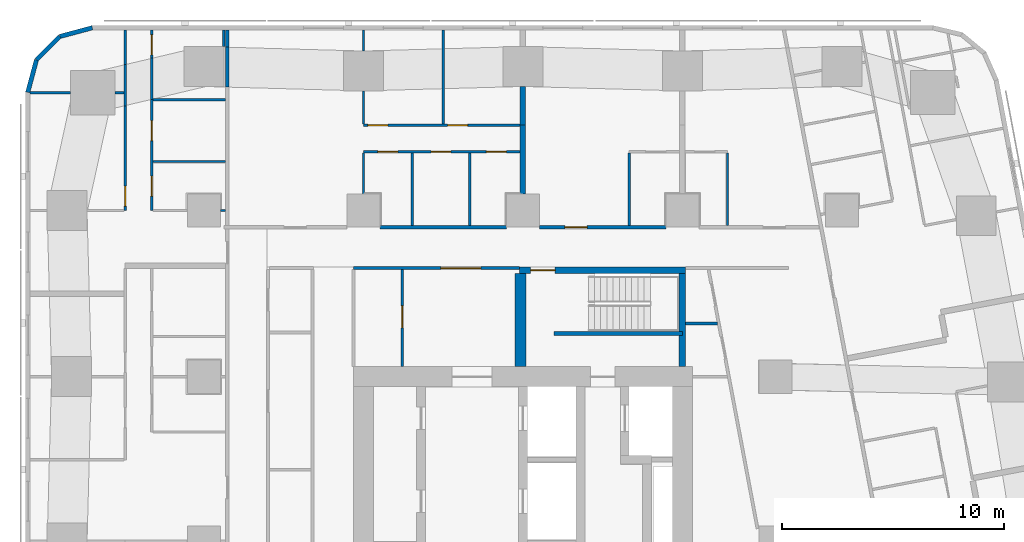
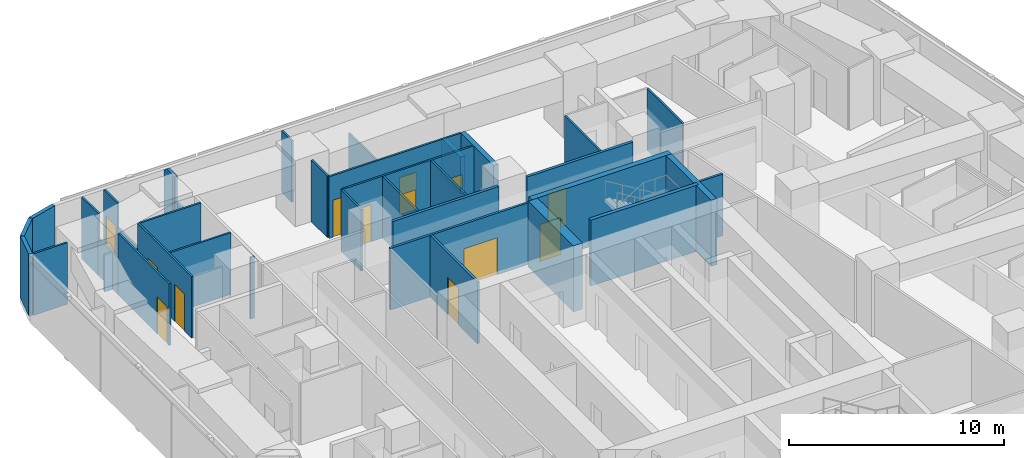
# One storey, part 9 of 15: 38 walls, 13 doors, 13 openings.
"""IFC4 building model written with IfcOpenShell, lengths in metres."""

import ifcopenshell
import ifcopenshell.guid

model = None  # the IFC model being written
_history = None  # IfcOwnerHistory: only IFC2X3 demands one
_inside = {}  # id of a spatial element -> (the spatial element, [elements in it])
_under = {}  # id of a project, library or spatial element -> (it, [spatial elements below it])
_declared = {}  # id of a project -> (the project, [libraries it declares])
_typed = {}  # id of a type object -> (the type object, [elements of that type])
_made_of = {}  # id of a material, layer set ... -> (it, [elements and type objects made of it])


def new_model(schema):
    """Start an empty IFC model of exactly this schema.

    Asked for "IFC4X3", IfcOpenShell would pick the latest addendum, in which some entities
    have other attributes; the version numbers below select the first issue.
    IFC2X3 requires an IfcOwnerHistory on every rooted entity: one is made here for all.
    """
    global model, _history
    if schema == "IFC4X3":
        model = ifcopenshell.file(schema_version=(4, 3, 0, 0))
    else:
        model = ifcopenshell.file(schema=schema)
    _inside.clear()
    _under.clear()
    _declared.clear()
    _typed.clear()
    _made_of.clear()
    _history = None
    if model.schema == "IFC2X3":
        org = make("IfcOrganization", Name="unknown")
        user = make(
            "IfcPersonAndOrganization",
            ThePerson=make("IfcPerson", FamilyName="unknown"),
            TheOrganization=org,
        )
        app = make(
            "IfcApplication",
            ApplicationDeveloper=org,
            Version="unknown",
            ApplicationFullName="unknown",
            ApplicationIdentifier="unknown",
        )
        _history = make(
            "IfcOwnerHistory",
            OwningUser=user,
            OwningApplication=app,
            ChangeAction="ADDED",
            CreationDate=0,
        )
    return model


def make(cls, **values):
    """One entity of the class cls with the attributes given. An attribute that is None is left unset."""
    return model.create_entity(
        cls, **{name: value for name, value in values.items() if value is not None}
    )


def rooted(cls, **values):
    """An entity with a GlobalId (a new one), such as an element, a storey or a relation."""
    return make(cls, GlobalId=ifcopenshell.guid.new(), OwnerHistory=_history, **values)


def si_unit(unit_type, name, prefix=None):
    """IfcSIUnit, for example si_unit("LENGTHUNIT", "METRE", prefix="MILLI")."""
    return make("IfcSIUnit", UnitType=unit_type, Prefix=prefix, Name=name)


def assignment(units):
    """IfcUnitAssignment: the units of a project."""
    return None if units is None else make("IfcUnitAssignment", Units=units)


def point(xyz):
    """IfcCartesianPoint."""
    return None if xyz is None else make("IfcCartesianPoint", Coordinates=xyz)


def direction(xyz):
    """IfcDirection."""
    return None if xyz is None else make("IfcDirection", DirectionRatios=xyz)


def frame(location, z_axis=None, x_axis=None):
    """IfcAxis2Placement3D, a coordinate frame: its origin and axes. An axis left out is left unset."""
    return make(
        "IfcAxis2Placement3D",
        Location=point(location),
        Axis=direction(z_axis),
        RefDirection=direction(x_axis),
    )


def frame_2d(location, x_axis=None):
    """IfcAxis2Placement2D, a coordinate frame in the plane: its origin and x axis."""
    return make(
        "IfcAxis2Placement2D", Location=point(location), RefDirection=direction(x_axis)
    )


def origin():
    """The frame at (0, 0, 0) with its axes left unset."""
    return frame((0.0, 0.0, 0.0))


def place(relative_to, where):
    """IfcLocalPlacement: puts the frame where relative to a parent placement (None: the world)."""
    return make(
        "IfcLocalPlacement", PlacementRelTo=relative_to, RelativePlacement=where
    )


def context(
    kind, dimensions, precision=None, world=None, true_north=None, identifier=None
):
    """IfcGeometricRepresentationContext, for example the 3D "Model" context."""
    return make(
        "IfcGeometricRepresentationContext",
        ContextIdentifier=identifier,
        ContextType=kind,
        CoordinateSpaceDimension=dimensions,
        Precision=precision,
        WorldCoordinateSystem=world,
        TrueNorth=true_north,
    )


def subcontext(parent, identifier, kind, view, scale=None):
    """IfcGeometricRepresentationSubContext, for example "Body" below "Model"."""
    return make(
        "IfcGeometricRepresentationSubContext",
        ContextIdentifier=identifier,
        ContextType=kind,
        ParentContext=parent,
        TargetScale=scale,
        TargetView=view,
    )


def project(units=None, contexts=None):
    """IfcProject with its units and contexts."""
    return rooted(
        "IfcProject",
        Name="project",
        RepresentationContexts=contexts,
        UnitsInContext=assignment(units),
    )


def spatial(cls, under=None, at=None, **own):
    """A site, building, storey or space (cls), placed at a placement, below another one or the project."""
    s = rooted(cls, ObjectPlacement=at, **own)
    if under is not None:
        _under.setdefault(under.id(), (under, []))[1].append(s)
    return s


def profile(cls, at=None, kind="AREA", **sizes):
    """A parametric profile (cls). Its sizes go by their IFC names, for example OverallWidth=200.0."""
    return make(cls, ProfileType=kind, Position=at, **sizes)


def rectangle(**sizes):
    """IfcRectangleProfileDef."""
    return profile("IfcRectangleProfileDef", **sizes)


def extrude(swept, where, along, depth):
    """IfcExtrudedAreaSolid: the profile swept, set in the frame where, extruded along a direction by depth."""
    return make(
        "IfcExtrudedAreaSolid",
        SweptArea=swept,
        Position=where,
        ExtrudedDirection=direction(along),
        Depth=depth,
    )


def shape(context_of_items, identifier, shape_type, items):
    """IfcShapeRepresentation: the items that make up one representation, for example the "Body"."""
    return make(
        "IfcShapeRepresentation",
        ContextOfItems=context_of_items,
        RepresentationIdentifier=identifier,
        RepresentationType=shape_type,
        Items=items,
    )


def material(Name=None, Category=None):
    """IfcMaterial."""
    return make("IfcMaterial", Name=Name, Category=Category)


def layer(
    of_material, thickness, ventilated=None, Name=None, Category=None, Priority=None
):
    """IfcMaterialLayer: one layer of a wall or slab, of a material (None: an air gap)."""
    return make(
        "IfcMaterialLayer",
        Material=of_material,
        LayerThickness=thickness,
        IsVentilated=ventilated,
        Name=Name,
        Category=Category,
        Priority=Priority,
    )


def layer_set(layers, Name=None):
    """IfcMaterialLayerSet."""
    return make("IfcMaterialLayerSet", MaterialLayers=layers, LayerSetName=Name)


def made_of(thing, what):
    """Note that an element or type object is made of a material, layer set ...; save() writes the relation."""
    if what is not None:
        _made_of.setdefault(what.id(), (what, []))[1].append(thing)
    return thing


def type_object(cls, material=None, **own):
    """A type object (cls), such as IfcWallType, which elements share."""
    return made_of(rooted(cls, **own), material)


def element(
    cls,
    number,
    at=None,
    inside=None,
    cuts=None,
    type_object=None,
    material=None,
    context=None,
    identifier="Body",
    shape_type=None,
    held_by="IfcProductDefinitionShape",
    body=None,
    shapes=None,
    **own,
):
    """One element of the class cls, such as IfcWall. Its Tag is "e" and its number.

    at: its placement. inside: the storey or other place that contains it. cuts: it is an
    opening in that element (IfcRelVoidsElement). A single representation is given by context,
    identifier, shape_type and body (its items); several are given by shapes. held_by: the class
    of the entity that holds the representations. save() writes the other relations.
    """
    e = rooted(cls, Tag="e%d" % number, ObjectPlacement=at, **own)
    if body is not None:
        shapes = [shape(context, identifier, shape_type, body)]
    if shapes is not None:
        e.Representation = make(held_by, Representations=shapes)
    if inside is not None:
        _inside.setdefault(inside.id(), (inside, []))[1].append(e)
    if cuts is not None:
        rooted(
            "IfcRelVoidsElement", RelatingBuildingElement=cuts, RelatedOpeningElement=e
        )
    if type_object is not None:
        _typed.setdefault(type_object.id(), (type_object, []))[1].append(e)
    return made_of(e, material)


def fill(opening, filler):
    """IfcRelFillsElement: the door or window that sits in an opening."""
    return rooted(
        "IfcRelFillsElement",
        RelatingOpeningElement=opening,
        RelatedBuildingElement=filler,
    )


def aggregate(whole, parts):
    """IfcRelAggregates: a whole, such as a stair, and the parts it consists of."""
    return rooted("IfcRelAggregates", RelatingObject=whole, RelatedObjects=parts)


def save(model, path):
    """Write the relations noted so far, then the file.

    IfcRelAggregates (storeys below a building ...), IfcRelContainedInSpatialStructure (elements
    in a storey), IfcRelDefinesByType, IfcRelAssociatesMaterial and IfcRelDeclares: one each for
    every whole, place, type object, material and project.
    """
    for whole, parts in _under.values():
        aggregate(whole, parts)
    for where, things in _inside.values():
        rooted(
            "IfcRelContainedInSpatialStructure",
            RelatedElements=things,
            RelatingStructure=where,
        )
    for kind, things in _typed.values():
        rooted("IfcRelDefinesByType", RelatedObjects=things, RelatingType=kind)
    for what, things in _made_of.values():
        rooted("IfcRelAssociatesMaterial", RelatedObjects=things, RelatingMaterial=what)
    for by, libraries in _declared.values():
        rooted("IfcRelDeclares", RelatingContext=by, RelatedDefinitions=libraries)
    model.write(path)


model = new_model("IFC4")

# Units and contexts
model_context = context("Model", 3, precision=1e-05, world=origin(), true_north=direction((0.0, 1.0)))
body_context = subcontext(model_context, "Body", "Model", "MODEL_VIEW")
ifc_project = project(units=[si_unit("LENGTHUNIT", "METRE"), si_unit("AREAUNIT", "SQUARE_METRE"), si_unit("VOLUMEUNIT", "CUBIC_METRE"), si_unit("PLANEANGLEUNIT", "RADIAN"), si_unit("MASSUNIT", "GRAM", prefix="KILO")], contexts=[model_context])

# Site, building, storey
site_placement = place(None, origin())
site = spatial("IfcSite", under=ifc_project, at=site_placement, CompositionType="ELEMENT")
building_placement = place(site_placement, origin())
building = spatial("IfcBuilding", under=site, at=building_placement, Name="Sheger Commons Tower", CompositionType="ELEMENT")
storey_placement = place(building_placement, frame((0.0, 0.0, 169.550048828125)))
storey = spatial("IfcBuildingStorey", under=building, at=storey_placement, Name="L43", CompositionType="ELEMENT", Elevation=169.550048828125)

# Walls
ifc_material_1 = material(Name="Hollow concrete block masonry, skimmed both sides", Category="masonry")
ifc_layer_1 = layer(ifc_material_1, 0.14990234375)
ifc_layer_set_1 = layer_set([ifc_layer_1], Name="CORRIDOR WALL 150")
wall_type_1 = type_object("IfcWallType", Name="CORRIDOR WALL 150", PredefinedType="SOLIDWALL", material=ifc_layer_set_1)
wall_1_placement = place(storey_placement, frame((8.25, 43.068115234375, 0.0), z_axis=(0.0, 0.0, 1.0), x_axis=(0.0, 1.0, 0.0)))
element("IfcWall", 1, at=wall_1_placement, inside=storey, type_object=wall_type_1, Name="Corridor wall L43", PredefinedType="SOLIDWALL", context=body_context, shape_type="SweptSolid", body=[
    extrude(rectangle(XDim=1.804931640625, YDim=0.14990234375, at=frame_2d((0.90234375, 0.0))), origin(), (0.0, 0.0, 1.0), 2.099853515625),
])
wall_2_placement = place(storey_placement, frame((8.25, 44.873046875, 0.0), z_axis=(0.0, 0.0, 1.0), x_axis=(0.0, 1.0, 0.0)))
element("IfcWall", 2, at=wall_2_placement, inside=storey, type_object=wall_type_1, Name="Corridor wall L43", PredefinedType="SOLIDWALL", context=body_context, shape_type="SweptSolid", body=[
    extrude(rectangle(XDim=0.77685546875, YDim=0.14990234375, at=frame_2d((0.388427734375, 0.0))), origin(), (0.0, 0.0, 1.0), 3.5),
])
wall_3_placement = place(storey_placement, frame((15.15087890625, 36.75, 0.0), z_axis=(0.0, 0.0, 1.0), x_axis=(1.0, 0.0, 0.0)))
element("IfcWall", 3, at=wall_3_placement, inside=storey, type_object=wall_type_1, Name="Corridor wall L43", PredefinedType="SOLIDWALL", context=body_context, shape_type="SweptSolid", body=[
    extrude(rectangle(XDim=5.6982421875, YDim=0.14990234375, at=frame_2d((2.84912109375, 0.0))), origin(), (0.0, 0.0, 1.0), 3.5),
])

# Wall, opening, door
wall_4_placement = place(storey_placement, frame((22.35107421875, 36.75, 0.0), z_axis=(0.0, 0.0, 1.0), x_axis=(1.0, 0.0, 0.0)))
wall_4 = element("IfcWall", 4, at=wall_4_placement, inside=storey, type_object=wall_type_1, Name="Corridor wall L43", PredefinedType="SOLIDWALL", context=body_context, shape_type="SweptSolid", body=[
    extrude(rectangle(XDim=5.697998046875, YDim=0.14990234375, at=frame_2d((2.84912109375, 0.0))), origin(), (0.0, 0.0, 1.0), 3.5),
])
opening_1_placement = place(wall_4_placement, frame((1.14892578125, 0.0, 0.0)))
opening_1 = element("IfcOpeningElement", 5, at=opening_1_placement, cuts=wall_4, Name="Opening D1", PredefinedType="OPENING", context=body_context, shape_type="SweptSolid", body=[
    extrude(rectangle(XDim=1.0, YDim=2.10009765625, at=frame_2d((0.5, 1.050048828125))), frame((0.0, 0.0849609375, 0.0), z_axis=(0.0, -1.0, 0.0), x_axis=(1.0, 0.0, 0.0)), (0.0, 0.0, 1.0), 0.169921875),
])
ifc_material_2 = material(Name="Steel door set, fire rated", Category="steel")
door_type_1 = type_object("IfcDoorType", Name="FLAT ENTRANCE DOOR 1000x2100", OperationType="NOTDEFINED", PredefinedType="DOOR", material=ifc_material_2)
door_1_placement = place(opening_1_placement, origin())
door_1 = element("IfcDoor", 6, at=door_1_placement, inside=storey, type_object=door_type_1, Name="Flat entrance door", OperationType="SINGLE_SWING_LEFT", OverallHeight=2.10009765625, OverallWidth=1.0, PredefinedType="DOOR", context=body_context, shape_type="SweptSolid", body=[
    extrude(rectangle(XDim=1.0, YDim=2.10009765625, at=frame_2d((0.5, 1.050048828125))), frame((0.0, 0.02490234375, 0.0), z_axis=(0.0, -1.0, 0.0), x_axis=(1.0, 0.0, 0.0)), (0.0, 0.0, 1.0), 0.050048828125),
])
fill(opening_1, door_1)

# Walls
ifc_material_3 = material(Name="Dense concrete block masonry, plastered both sides (separating wall between flats)", Category="masonry")
ifc_layer_2 = layer(ifc_material_3, 0.25)
ifc_layer_set_2 = layer_set([ifc_layer_2], Name="DEMISING WALL 250")
wall_type_2 = type_object("IfcWallType", Name="DEMISING WALL 250", PredefinedType="SOLIDWALL", material=ifc_layer_set_2)
wall_5_placement = place(storey_placement, frame((21.60009765625, 41.35009765625, 0.0), z_axis=(0.0, 0.0, 1.0), x_axis=(0.0, 1.0, 0.0)))
element("IfcWall", 7, at=wall_5_placement, inside=storey, type_object=wall_type_2, Name="Demising wall L43", PredefinedType="SOLIDWALL", context=body_context, shape_type="SweptSolid", body=[
    extrude(rectangle(XDim=1.7490234375, YDim=0.25, at=frame_2d((0.87451171875, 0.0))), origin(), (0.0, 0.0, 1.0), 2.099853515625),
])
wall_6_placement = place(storey_placement, frame((21.60009765625, 38.2509765625, 0.0), z_axis=(0.0, 0.0, 1.0), x_axis=(0.0, 1.0, 0.0)))
element("IfcWall", 8, at=wall_6_placement, inside=storey, type_object=wall_type_2, Name="Demising wall L43", PredefinedType="SOLIDWALL", context=body_context, shape_type="SweptSolid", body=[
    extrude(rectangle(XDim=3.09912109375, YDim=0.25, at=frame_2d((1.549560546875, 0.0))), origin(), (0.0, 0.0, 1.0), 3.5),
])
ifc_material_4 = material(Name="Rendered concrete block masonry, dark grey", Category="masonry")
ifc_layer_3 = layer(ifc_material_4, 0.199951171875)
ifc_layer_set_3 = layer_set([ifc_layer_3], Name="FACADE WALL 200")
wall_type_3 = type_object("IfcWallType", Name="FACADE WALL 200", PredefinedType="SOLIDWALL", material=ifc_layer_set_3)
wall_7_placement = place(storey_placement, frame((2.1630859375, 45.75, 0.0), z_axis=(0.0, 0.0, 1.0), x_axis=(-0.965832000415, -0.259168954497, 0.0)))
element("IfcWall", 9, at=wall_7_placement, inside=storey, type_object=wall_type_3, Name="Facade wall L43", PredefinedType="SOLIDWALL", context=body_context, shape_type="SweptSolid", body=[
    extrude(rectangle(XDim=1.512939453125, YDim=0.199951171875, at=frame_2d((0.75634765625, 0.0))), origin(), (0.0, 0.0, 1.0), 3.5),
])
wall_8_placement = place(storey_placement, frame((0.701904296875, 45.35791015625, 0.0), z_axis=(0.0, 0.0, 1.0), x_axis=(-0.707106781187, -0.707106781187, 0.0)))
element("IfcWall", 10, at=wall_8_placement, inside=storey, type_object=wall_type_3, Name="Facade wall L43", PredefinedType="SOLIDWALL", context=body_context, shape_type="SweptSolid", body=[
    extrude(rectangle(XDim=1.498779296875, YDim=0.199951171875, at=frame_2d((0.74951171875, 0.0))), origin(), (0.0, 0.0, 1.0), 3.5),
])
wall_9_placement = place(storey_placement, frame((-0.35791015625, 44.298095703125, 0.0), z_axis=(0.0, 0.0, 1.0), x_axis=(-0.259168954497, -0.965832000415, 0.0)))
element("IfcWall", 11, at=wall_9_placement, inside=storey, type_object=wall_type_3, Name="Facade wall L43", PredefinedType="SOLIDWALL", context=body_context, shape_type="SweptSolid", body=[
    extrude(rectangle(XDim=1.512939453125, YDim=0.199951171875, at=frame_2d((0.75634765625, 0.0))), origin(), (0.0, 0.0, 1.0), 3.5),
])
ifc_material_5 = material(Name="Gypsum board on steel studs", Category="steel")
ifc_layer_4 = layer(ifc_material_5, 0.10009765625)
ifc_layer_set_4 = layer_set([ifc_layer_4], Name="PARTITION 100")
wall_type_4 = type_object("IfcWallType", Name="PARTITION 100", PredefinedType="PARTITIONING", material=ifc_layer_set_4)
wall_10_placement = place(storey_placement, frame((8.10009765625, 45.64990234375, 0.0), z_axis=(0.0, 0.0, 1.0), x_axis=(0.0, -1.0, 0.0)))
element("IfcWall", 12, at=wall_10_placement, inside=storey, type_object=wall_type_4, Name="Partition L43", PredefinedType="PARTITIONING", context=body_context, shape_type="SweptSolid", body=[
    extrude(rectangle(XDim=0.7490234375, YDim=0.10009765625, at=frame_2d((0.37451171875, 0.0))), origin(), (0.0, 0.0, 1.0), 3.5),
])

# Wall, opening, door
wall_11_placement = place(storey_placement, frame((3.64990234375, 37.5, 0.0), z_axis=(0.0, 0.0, 1.0), x_axis=(0.0, 1.0, 0.0)))
wall_11 = element("IfcWall", 13, at=wall_11_placement, inside=storey, type_object=wall_type_4, Name="Partition L43", PredefinedType="PARTITIONING", context=body_context, shape_type="SweptSolid", body=[
    extrude(rectangle(XDim=4.72412109375, YDim=0.10009765625, at=frame_2d((2.362060546875, 0.0))), origin(), (0.0, 0.0, 1.0), 3.5),
])
opening_2_placement = place(wall_11_placement, frame((0.199951171875, 0.0, 0.0)))
opening_2 = element("IfcOpeningElement", 14, at=opening_2_placement, cuts=wall_11, Name="Opening D2", PredefinedType="OPENING", context=body_context, shape_type="SweptSolid", body=[
    extrude(rectangle(XDim=0.89990234375, YDim=2.10009765625, at=frame_2d((0.449951171875, 1.050048828125))), frame((0.0, 0.06005859375, 0.0), z_axis=(0.0, -1.0, 0.0), x_axis=(1.0, 0.0, 0.0)), (0.0, 0.0, 1.0), 0.1201171875),
])
ifc_material_6 = material(Name="Timber door set", Category="wood")
door_type_2 = type_object("IfcDoorType", Name="INTERNAL DOOR 900x2100", OperationType="NOTDEFINED", PredefinedType="DOOR", material=ifc_material_6)
door_2_placement = place(opening_2_placement, origin())
door_2 = element("IfcDoor", 15, at=door_2_placement, inside=storey, type_object=door_type_2, Name="Main bedroom door", OperationType="SINGLE_SWING_LEFT", OverallHeight=2.10009765625, OverallWidth=0.89990234375, PredefinedType="DOOR", context=body_context, shape_type="SweptSolid", body=[
    extrude(rectangle(XDim=0.89990234375, YDim=2.10009765625, at=frame_2d((0.449951171875, 1.050048828125))), frame((0.0, 0.02490234375, 0.0), z_axis=(0.0, -1.0, 0.0), x_axis=(1.0, 0.0, 0.0)), (0.0, 0.0, 1.0), 0.050048828125),
])
fill(opening_2, door_2)

# Walls
wall_12_placement = place(storey_placement, frame((3.64990234375, 42.22412109375, 0.0), z_axis=(0.0, 0.0, 1.0), x_axis=(0.0, 1.0, 0.0)))
element("IfcWall", 16, at=wall_12_placement, inside=storey, type_object=wall_type_4, Name="Partition L43", PredefinedType="PARTITIONING", context=body_context, shape_type="SweptSolid", body=[
    extrude(rectangle(XDim=1.872802734375, YDim=0.10009765625, at=frame_2d((0.9365234375, 0.0))), origin(), (0.0, 0.0, 1.0), 2.099853515625),
])
wall_13_placement = place(storey_placement, frame((3.64990234375, 44.096923828125, 0.0), z_axis=(0.0, 0.0, 1.0), x_axis=(0.0, 1.0, 0.0)))
element("IfcWall", 17, at=wall_13_placement, inside=storey, type_object=wall_type_4, Name="Partition L43", PredefinedType="PARTITIONING", context=body_context, shape_type="SweptSolid", body=[
    extrude(rectangle(XDim=1.552978515625, YDim=0.10009765625, at=frame_2d((0.7763671875, 0.0))), origin(), (0.0, 0.0, 1.0), 3.5),
])

# Wall, openings, doors
wall_14_placement = place(storey_placement, frame((4.85009765625, 37.5, 0.0), z_axis=(0.0, 0.0, 1.0), x_axis=(0.0, 1.0, 0.0)))
wall_14 = element("IfcWall", 18, at=wall_14_placement, inside=storey, type_object=wall_type_4, Name="Partition L43", PredefinedType="PARTITIONING", context=body_context, shape_type="SweptSolid", body=[
    extrude(rectangle(XDim=5.007080078125, YDim=0.10009765625, at=frame_2d((2.50341796875, 0.0))), origin(), (0.0, 0.0, 1.0), 3.5),
])
opening_3_placement = place(wall_14_placement, frame((0.655029296875, 0.0, 0.0)))
opening_3 = element("IfcOpeningElement", 19, at=opening_3_placement, cuts=wall_14, Name="Opening D2", PredefinedType="OPENING", context=body_context, shape_type="SweptSolid", body=[
    extrude(rectangle(XDim=0.89990234375, YDim=2.10009765625, at=frame_2d((0.449951171875, 1.050048828125))), frame((0.0, 0.06005859375, 0.0), z_axis=(0.0, -1.0, 0.0), x_axis=(1.0, 0.0, 0.0)), (0.0, 0.0, 1.0), 0.1201171875),
])
opening_4_placement = place(wall_14_placement, frame((3.155029296875, 0.0, 0.0)))
opening_4 = element("IfcOpeningElement", 20, at=opening_4_placement, cuts=wall_14, Name="Opening D2", PredefinedType="OPENING", context=body_context, shape_type="SweptSolid", body=[
    extrude(rectangle(XDim=0.89990234375, YDim=2.10009765625, at=frame_2d((0.449951171875, 1.050048828125))), frame((0.0, 0.06005859375, 0.0), z_axis=(0.0, -1.0, 0.0), x_axis=(1.0, 0.0, 0.0)), (0.0, 0.0, 1.0), 0.1201171875),
])
door_3_placement = place(opening_3_placement, origin())
door_3 = element("IfcDoor", 21, at=door_3_placement, inside=storey, type_object=door_type_2, Name="Bathroom door", OperationType="SINGLE_SWING_RIGHT", OverallHeight=2.10009765625, OverallWidth=0.89990234375, PredefinedType="DOOR", context=body_context, shape_type="SweptSolid", body=[
    extrude(rectangle(XDim=0.89990234375, YDim=2.10009765625, at=frame_2d((0.449951171875, 1.050048828125))), frame((0.0, 0.02490234375, 0.0), z_axis=(0.0, -1.0, 0.0), x_axis=(1.0, 0.0, 0.0)), (0.0, 0.0, 1.0), 0.050048828125),
])
fill(opening_3, door_3)
door_4_placement = place(opening_4_placement, origin())
door_4 = element("IfcDoor", 22, at=door_4_placement, inside=storey, type_object=door_type_2, Name="Store door", OperationType="SINGLE_SWING_LEFT", OverallHeight=2.10009765625, OverallWidth=0.89990234375, PredefinedType="DOOR", context=body_context, shape_type="SweptSolid", body=[
    extrude(rectangle(XDim=0.89990234375, YDim=2.10009765625, at=frame_2d((0.449951171875, 1.050048828125))), frame((0.0, 0.02490234375, 0.0), z_axis=(0.0, -1.0, 0.0), x_axis=(1.0, 0.0, 0.0)), (0.0, 0.0, 1.0), 0.050048828125),
])
fill(opening_4, door_4)

# Wall
wall_15_placement = place(storey_placement, frame((4.85009765625, 42.507080078125, 0.0), z_axis=(0.0, 0.0, 1.0), x_axis=(0.0, 1.0, 0.0)))
element("IfcWall", 23, at=wall_15_placement, inside=storey, type_object=wall_type_4, Name="Partition L43", PredefinedType="PARTITIONING", context=body_context, shape_type="SweptSolid", body=[
    extrude(rectangle(XDim=1.8740234375, YDim=0.10009765625, at=frame_2d((0.93701171875, 0.0))), origin(), (0.0, 0.0, 1.0), 2.099853515625),
])

# Wall, opening, door
wall_16_placement = place(storey_placement, frame((4.85009765625, 44.381103515625, 0.0), z_axis=(0.0, 0.0, 1.0), x_axis=(0.0, 1.0, 0.0)))
wall_16 = element("IfcWall", 24, at=wall_16_placement, inside=storey, type_object=wall_type_4, Name="Partition L43", PredefinedType="PARTITIONING", context=body_context, shape_type="SweptSolid", body=[
    extrude(rectangle(XDim=1.268798828125, YDim=0.10009765625, at=frame_2d((0.63427734375, 0.0))), origin(), (0.0, 0.0, 1.0), 3.5),
])
opening_5_placement = place(wall_16_placement, frame((0.14990234375, 0.0, 0.0)))
opening_5 = element("IfcOpeningElement", 25, at=opening_5_placement, cuts=wall_16, Name="Opening D2", PredefinedType="OPENING", context=body_context, shape_type="SweptSolid", body=[
    extrude(rectangle(XDim=0.89990234375, YDim=2.10009765625, at=frame_2d((0.449951171875, 1.050048828125))), frame((0.0, 0.06005859375, 0.0), z_axis=(0.0, -1.0, 0.0), x_axis=(1.0, 0.0, 0.0)), (0.0, 0.0, 1.0), 0.1201171875),
])
door_5_placement = place(opening_5_placement, origin())
door_5 = element("IfcDoor", 26, at=door_5_placement, inside=storey, type_object=door_type_2, Name="Laundry room door", OperationType="SINGLE_SWING_RIGHT", OverallHeight=2.10009765625, OverallWidth=0.89990234375, PredefinedType="DOOR", context=body_context, shape_type="SweptSolid", body=[
    extrude(rectangle(XDim=0.89990234375, YDim=2.10009765625, at=frame_2d((0.449951171875, 1.050048828125))), frame((0.0, 0.02490234375, 0.0), z_axis=(0.0, -1.0, 0.0), x_axis=(1.0, 0.0, 0.0)), (0.0, 0.0, 1.0), 0.050048828125),
])
fill(opening_5, door_5)

# Walls
wall_17_placement = place(storey_placement, frame((-0.64990234375, 42.81396484375, 0.0), z_axis=(0.0, 0.0, 1.0), x_axis=(1.0, 0.0, 0.0)))
element("IfcWall", 27, at=wall_17_placement, inside=storey, type_object=wall_type_4, Name="Partition L43", PredefinedType="PARTITIONING", context=body_context, shape_type="SweptSolid", body=[
    extrude(rectangle(XDim=1.8349609375, YDim=0.10009765625, at=frame_2d((0.91748046875, 0.0))), origin(), (0.0, 0.0, 1.0), 3.5),
])
wall_18_placement = place(storey_placement, frame((3.18701171875, 42.81396484375, 0.0), z_axis=(0.0, 0.0, 1.0), x_axis=(1.0, 0.0, 0.0)))
element("IfcWall", 28, at=wall_18_placement, inside=storey, type_object=wall_type_4, Name="Partition L43", PredefinedType="PARTITIONING", context=body_context, shape_type="SweptSolid", body=[
    extrude(rectangle(XDim=0.4130859375, YDim=0.10009765625, at=frame_2d((0.20654296875, 0.0))), origin(), (0.0, 0.0, 1.0), 2.099853515625),
])
wall_19_placement = place(storey_placement, frame((7.950927734375, 37.5, 0.0), z_axis=(0.0, 0.0, 1.0), x_axis=(1.0, 0.0, 0.0)))
element("IfcWall", 29, at=wall_19_placement, inside=storey, type_object=wall_type_4, Name="Partition L43", PredefinedType="PARTITIONING", context=body_context, shape_type="SweptSolid", body=[
    extrude(rectangle(XDim=0.22412109375, YDim=0.10009765625, at=frame_2d((0.112060546875, 0.0))), origin(), (0.0, 0.0, 1.0), 3.5),
])
for number, where, z_axis, x_axis, name in (
    (30, (4.89990234375, 42.4990234375, 0.0), (0.0, 0.0, 1.0), (1.0, 0.0, 0.0), "Partition L43"),
    (31, (4.89990234375, 39.7099609375, 0.0), (0.0, 0.0, 1.0), (1.0, 0.0, 0.0), "Partition L43"),
):
    element("IfcWall", number, at=place(storey_placement, frame(where, z_axis=z_axis, x_axis=x_axis)), inside=storey, type_object=wall_type_4, Name=name, PredefinedType="PARTITIONING", context=body_context, shape_type="SweptSolid", body=[
        extrude(rectangle(XDim=3.275146484375, YDim=0.10009765625, at=frame_2d((1.6376953125, 0.0))), origin(), (0.0, 0.0, 1.0), 3.5),
    ])

# Wall, openings, doors
wall_20_placement = place(storey_placement, frame((14.39990234375, 41.35009765625, 0.0), z_axis=(0.0, 0.0, 1.0), x_axis=(1.0, 0.0, 0.0)))
wall_20 = element("IfcWall", 32, at=wall_20_placement, inside=storey, type_object=wall_type_4, Name="Partition L43", PredefinedType="PARTITIONING", context=body_context, shape_type="SweptSolid", body=[
    extrude(rectangle(XDim=7.0751953125, YDim=0.10009765625, at=frame_2d((3.53759765625, 0.0))), origin(), (0.0, 0.0, 1.0), 3.5),
])
opening_6_placement = place(wall_20_placement, frame((0.199951171875, 0.0, 0.0)))
opening_6 = element("IfcOpeningElement", 33, at=opening_6_placement, cuts=wall_20, Name="Opening D2", PredefinedType="OPENING", context=body_context, shape_type="SweptSolid", body=[
    extrude(rectangle(XDim=0.89990234375, YDim=2.10009765625, at=frame_2d((0.449951171875, 1.050048828125))), frame((0.0, 0.06005859375, 0.0), z_axis=(0.0, -1.0, 0.0), x_axis=(1.0, 0.0, 0.0)), (0.0, 0.0, 1.0), 0.1201171875),
])
opening_7_placement = place(wall_20_placement, frame((3.800048828125, 0.0, 0.0)))
opening_7 = element("IfcOpeningElement", 34, at=opening_7_placement, cuts=wall_20, Name="Opening D2", PredefinedType="OPENING", context=body_context, shape_type="SweptSolid", body=[
    extrude(rectangle(XDim=0.89990234375, YDim=2.10009765625, at=frame_2d((0.449951171875, 1.050048828125))), frame((0.0, 0.06005859375, 0.0), z_axis=(0.0, -1.0, 0.0), x_axis=(1.0, 0.0, 0.0)), (0.0, 0.0, 1.0), 0.1201171875),
])
door_6_placement = place(opening_6_placement, origin())
door_6 = element("IfcDoor", 35, at=door_6_placement, inside=storey, type_object=door_type_2, Name="Main bedroom door", OperationType="SINGLE_SWING_LEFT", OverallHeight=2.10009765625, OverallWidth=0.89990234375, PredefinedType="DOOR", context=body_context, shape_type="SweptSolid", body=[
    extrude(rectangle(XDim=0.89990234375, YDim=2.10009765625, at=frame_2d((0.449951171875, 1.050048828125))), frame((0.0, 0.02490234375, 0.0), z_axis=(0.0, -1.0, 0.0), x_axis=(1.0, 0.0, 0.0)), (0.0, 0.0, 1.0), 0.050048828125),
])
fill(opening_6, door_6)
door_7_placement = place(opening_7_placement, origin())
door_7 = element("IfcDoor", 36, at=door_7_placement, inside=storey, type_object=door_type_2, Name="Bedroom 2 door", OperationType="SINGLE_SWING_LEFT", OverallHeight=2.10009765625, OverallWidth=0.89990234375, PredefinedType="DOOR", context=body_context, shape_type="SweptSolid", body=[
    extrude(rectangle(XDim=0.89990234375, YDim=2.10009765625, at=frame_2d((0.449951171875, 1.050048828125))), frame((0.0, 0.02490234375, 0.0), z_axis=(0.0, -1.0, 0.0), x_axis=(1.0, 0.0, 0.0)), (0.0, 0.0, 1.0), 0.050048828125),
])
fill(opening_7, door_7)

wall_21_placement = place(storey_placement, frame((14.39990234375, 40.14990234375, 0.0), z_axis=(0.0, 0.0, 1.0), x_axis=(1.0, 0.0, 0.0)))
wall_21 = element("IfcWall", 37, at=wall_21_placement, inside=storey, type_object=wall_type_4, Name="Partition L43", PredefinedType="PARTITIONING", context=body_context, shape_type="SweptSolid", body=[
    extrude(rectangle(XDim=7.0751953125, YDim=0.10009765625, at=frame_2d((3.53759765625, 0.0))), origin(), (0.0, 0.0, 1.0), 3.5),
])
opening_8_placement = place(wall_21_placement, frame((0.655029296875, 0.0, 0.0)))
opening_8 = element("IfcOpeningElement", 38, at=opening_8_placement, cuts=wall_21, Name="Opening D2", PredefinedType="OPENING", context=body_context, shape_type="SweptSolid", body=[
    extrude(rectangle(XDim=0.89990234375, YDim=2.10009765625, at=frame_2d((0.449951171875, 1.050048828125))), frame((0.0, 0.06005859375, 0.0), z_axis=(0.0, -1.0, 0.0), x_axis=(1.0, 0.0, 0.0)), (0.0, 0.0, 1.0), 0.1201171875),
])
opening_9_placement = place(wall_21_placement, frame((5.550048828125, 0.0, 0.0)))
opening_9 = element("IfcOpeningElement", 39, at=opening_9_placement, cuts=wall_21, Name="Opening D2", PredefinedType="OPENING", context=body_context, shape_type="SweptSolid", body=[
    extrude(rectangle(XDim=0.89990234375, YDim=2.10009765625, at=frame_2d((0.449951171875, 1.050048828125))), frame((0.0, 0.06005859375, 0.0), z_axis=(0.0, -1.0, 0.0), x_axis=(1.0, 0.0, 0.0)), (0.0, 0.0, 1.0), 0.1201171875),
])
opening_10_placement = place(wall_21_placement, frame((3.053955078125, 0.0, 0.0)))
opening_10 = element("IfcOpeningElement", 40, at=opening_10_placement, cuts=wall_21, Name="Opening D2", PredefinedType="OPENING", context=body_context, shape_type="SweptSolid", body=[
    extrude(rectangle(XDim=0.89990234375, YDim=2.10009765625, at=frame_2d((0.449951171875, 1.050048828125))), frame((0.0, 0.06005859375, 0.0), z_axis=(0.0, -1.0, 0.0), x_axis=(1.0, 0.0, 0.0)), (0.0, 0.0, 1.0), 0.1201171875),
])
door_8_placement = place(opening_8_placement, origin())
door_8 = element("IfcDoor", 41, at=door_8_placement, inside=storey, type_object=door_type_2, Name="Bathroom door", OperationType="SINGLE_SWING_RIGHT", OverallHeight=2.10009765625, OverallWidth=0.89990234375, PredefinedType="DOOR", context=body_context, shape_type="SweptSolid", body=[
    extrude(rectangle(XDim=0.89990234375, YDim=2.10009765625, at=frame_2d((0.449951171875, 1.050048828125))), frame((0.0, 0.02490234375, 0.0), z_axis=(0.0, -1.0, 0.0), x_axis=(1.0, 0.0, 0.0)), (0.0, 0.0, 1.0), 0.050048828125),
])
fill(opening_8, door_8)
door_9_placement = place(opening_9_placement, origin())
door_9 = element("IfcDoor", 42, at=door_9_placement, inside=storey, type_object=door_type_2, Name="Laundry room door", OperationType="SINGLE_SWING_LEFT", OverallHeight=2.10009765625, OverallWidth=0.89990234375, PredefinedType="DOOR", context=body_context, shape_type="SweptSolid", body=[
    extrude(rectangle(XDim=0.89990234375, YDim=2.10009765625, at=frame_2d((0.449951171875, 1.050048828125))), frame((0.0, 0.02490234375, 0.0), z_axis=(0.0, -1.0, 0.0), x_axis=(1.0, 0.0, 0.0)), (0.0, 0.0, 1.0), 0.050048828125),
])
fill(opening_9, door_9)
door_10_placement = place(opening_10_placement, origin())
door_10 = element("IfcDoor", 43, at=door_10_placement, inside=storey, type_object=door_type_2, Name="Store door", OperationType="SINGLE_SWING_LEFT", OverallHeight=2.10009765625, OverallWidth=0.89990234375, PredefinedType="DOOR", context=body_context, shape_type="SweptSolid", body=[
    extrude(rectangle(XDim=0.89990234375, YDim=2.10009765625, at=frame_2d((0.449951171875, 1.050048828125))), frame((0.0, 0.02490234375, 0.0), z_axis=(0.0, -1.0, 0.0), x_axis=(1.0, 0.0, 0.0)), (0.0, 0.0, 1.0), 0.050048828125),
])
fill(opening_10, door_10)

# Walls
wall_22_placement = place(storey_placement, frame((14.39990234375, 41.39990234375, 0.0), z_axis=(0.0, 0.0, 1.0), x_axis=(0.0, 1.0, 0.0)))
element("IfcWall", 44, at=wall_22_placement, inside=storey, type_object=wall_type_4, Name="Partition L43", PredefinedType="PARTITIONING", context=body_context, shape_type="SweptSolid", body=[
    extrude(rectangle(XDim=1.4990234375, YDim=0.10009765625, at=frame_2d((0.74951171875, 0.0))), origin(), (0.0, 0.0, 1.0), 3.5),
])
wall_23_placement = place(storey_placement, frame((14.39990234375, 44.700927734375, 0.0), z_axis=(0.0, 0.0, 1.0), x_axis=(0.0, 1.0, 0.0)))
element("IfcWall", 45, at=wall_23_placement, inside=storey, type_object=wall_type_4, Name="Partition L43", PredefinedType="PARTITIONING", context=body_context, shape_type="SweptSolid", body=[
    extrude(rectangle(XDim=0.948974609375, YDim=0.10009765625, at=frame_2d((0.474609375, 0.0))), origin(), (0.0, 0.0, 1.0), 3.5),
])
wall_24_placement = place(storey_placement, frame((18.0, 41.39990234375, 0.0), z_axis=(0.0, 0.0, 1.0), x_axis=(0.0, 1.0, 0.0)))
element("IfcWall", 46, at=wall_24_placement, inside=storey, type_object=wall_type_4, Name="Partition L43", PredefinedType="PARTITIONING", context=body_context, shape_type="SweptSolid", body=[
    extrude(rectangle(XDim=4.25, YDim=0.10009765625, at=frame_2d((2.125, 0.0))), origin(), (0.0, 0.0, 1.0), 2.099853515625),
])
wall_25_placement = place(storey_placement, frame((14.39990234375, 38.2509765625, 0.0), z_axis=(0.0, 0.0, 1.0), x_axis=(0.0, 1.0, 0.0)))
element("IfcWall", 47, at=wall_25_placement, inside=storey, type_object=wall_type_4, Name="Partition L43", PredefinedType="PARTITIONING", context=body_context, shape_type="SweptSolid", body=[
    extrude(rectangle(XDim=1.84912109375, YDim=0.10009765625, at=frame_2d((0.924560546875, 0.0))), origin(), (0.0, 0.0, 1.0), 3.5),
])
for number, where, z_axis, x_axis, name in (
    (48, (19.198974609375, 36.824951171875, 0.0), (0.0, 0.0, 1.0), (0.0, 1.0, 0.0), "Partition L43"),
    (49, (16.610107421875, 36.824951171875, 0.0), (0.0, 0.0, 1.0), (0.0, 1.0, 0.0), "Partition L43"),
    (50, (26.39892578125, 36.824951171875, 0.0), (0.0, 0.0, 1.0), (0.0, 1.0, 0.0), "Partition L43"),
    (51, (30.8291015625, 36.824951171875, 0.0), (0.0, 0.0, 1.0), (0.0, 1.0, 0.0), "Partition L43"),
):
    element("IfcWall", number, at=place(storey_placement, frame(where, z_axis=z_axis, x_axis=x_axis)), inside=storey, type_object=wall_type_4, Name=name, PredefinedType="PARTITIONING", context=body_context, shape_type="SweptSolid", body=[
        extrude(rectangle(XDim=3.275146484375, YDim=0.10009765625, at=frame_2d((1.6376953125, 0.0))), origin(), (0.0, 0.0, 1.0), 3.5),
    ])

# Wall, opening, door
ifc_material_7 = material(Name="Gypsum board on steel studs, two layers each side, fire rated", Category="steel")
ifc_layer_5 = layer(ifc_material_7, 0.125)
ifc_layer_set_5 = layer_set([ifc_layer_5], Name="SERVICE WALL 125")
wall_type_5 = type_object("IfcWallType", Name="SERVICE WALL 125", PredefinedType="PARTITIONING", material=ifc_layer_set_5)
wall_26_placement = place(storey_placement, frame((13.949951171875, 34.89990234375, 0.0), z_axis=(0.0, 0.0, 1.0), x_axis=(1.0, 0.0, 0.0)))
wall_26 = element("IfcWall", 52, at=wall_26_placement, inside=storey, type_object=wall_type_5, Name="Service room wall L43", PredefinedType="PARTITIONING", context=body_context, shape_type="SweptSolid", body=[
    extrude(rectangle(XDim=7.5, YDim=0.125, at=frame_2d((3.75, 0.0))), origin(), (0.0, 0.0, 1.0), 3.5),
])
opening_11_placement = place(wall_26_placement, frame((3.949951171875, 0.0, 0.0)))
opening_11 = element("IfcOpeningElement", 53, at=opening_11_placement, cuts=wall_26, Name="Opening D6", PredefinedType="OPENING", context=body_context, shape_type="SweptSolid", body=[
    extrude(rectangle(XDim=1.800048828125, YDim=2.10009765625, at=frame_2d((0.89990234375, 1.050048828125))), frame((0.0, 0.072509765625, 0.0), z_axis=(0.0, -1.0, 0.0), x_axis=(1.0, 0.0, 0.0)), (0.0, 0.0, 1.0), 0.14501953125),
])
ifc_material_8 = material(Name="Steel door set, fire rated", Category="steel")
door_type_3 = type_object("IfcDoorType", Name="LOBBY DOUBLE DOOR 1800x2100", OperationType="DOUBLE_DOOR_SINGLE_SWING", PredefinedType="DOOR", material=ifc_material_8)
door_11_placement = place(opening_11_placement, origin())
door_11 = element("IfcDoor", 54, at=door_11_placement, inside=storey, type_object=door_type_3, Name="Lift lobby north door", OperationType="DOUBLE_DOOR_SINGLE_SWING", OverallHeight=2.10009765625, OverallWidth=1.800048828125, PredefinedType="DOOR", context=body_context, shape_type="SweptSolid", body=[
    extrude(rectangle(XDim=1.800048828125, YDim=2.10009765625, at=frame_2d((0.89990234375, 1.050048828125))), frame((0.0, 0.02490234375, 0.0), z_axis=(0.0, -1.0, 0.0), x_axis=(1.0, 0.0, 0.0)), (0.0, 0.0, 1.0), 0.050048828125),
])
fill(opening_11, door_11)

wall_27_placement = place(storey_placement, frame((16.14990234375, 30.449951171875, 0.0), z_axis=(0.0, 0.0, 1.0), x_axis=(0.0, 1.0, 0.0)))
wall_27 = element("IfcWall", 55, at=wall_27_placement, inside=storey, type_object=wall_type_5, Name="Service room wall L43", PredefinedType="PARTITIONING", context=body_context, shape_type="SweptSolid", body=[
    extrude(rectangle(XDim=4.386962890625, YDim=0.125, at=frame_2d((2.193359375, 0.0))), origin(), (0.0, 0.0, 1.0), 3.5),
])
opening_12_placement = place(wall_27_placement, frame((1.75, 0.0, 0.0)))
opening_12 = element("IfcOpeningElement", 56, at=opening_12_placement, cuts=wall_27, Name="Opening D4", PredefinedType="OPENING", context=body_context, shape_type="SweptSolid", body=[
    extrude(rectangle(XDim=1.0, YDim=2.10009765625, at=frame_2d((0.5, 1.050048828125))), frame((0.0, 0.072509765625, 0.0), z_axis=(0.0, -1.0, 0.0), x_axis=(1.0, 0.0, 0.0)), (0.0, 0.0, 1.0), 0.14501953125),
])
ifc_material_9 = material(Name="Steel door set, fire rated", Category="steel")
door_type_4 = type_object("IfcDoorType", Name="SERVICE DOOR 1000x2100", OperationType="NOTDEFINED", PredefinedType="DOOR", material=ifc_material_9)
door_12_placement = place(opening_12_placement, origin())
door_12 = element("IfcDoor", 57, at=door_12_placement, inside=storey, type_object=door_type_4, Name="Telecom room door", OperationType="SINGLE_SWING_RIGHT", OverallHeight=2.10009765625, OverallWidth=1.0, PredefinedType="DOOR", context=body_context, shape_type="SweptSolid", body=[
    extrude(rectangle(XDim=1.0, YDim=2.10009765625, at=frame_2d((0.5, 1.050048828125))), frame((0.0, 0.02490234375, 0.0), z_axis=(0.0, -1.0, 0.0), x_axis=(1.0, 0.0, 0.0)), (0.0, 0.0, 1.0), 0.050048828125),
])
fill(opening_12, door_12)

# Wall
wall_28_placement = place(storey_placement, frame((28.949951171875, 32.39990234375, 0.0), z_axis=(0.0, 0.0, 1.0), x_axis=(1.0, 0.0, 0.0)))
element("IfcWall", 58, at=wall_28_placement, inside=storey, type_object=wall_type_5, Name="Service room wall L43", PredefinedType="PARTITIONING", context=body_context, shape_type="SweptSolid", body=[
    extrude(rectangle(XDim=1.426025390625, YDim=0.125, at=frame_2d((0.712890625, 0.0))), origin(), (0.0, 0.0, 1.0), 3.5),
])

# Wall, opening, door
ifc_material_10 = material(Name="Concrete C50/60", Category="concrete")
ifc_layer_6 = layer(ifc_material_10, 0.300048828125)
ifc_layer_set_6 = layer_set([ifc_layer_6], Name="STAIR CORE WALL 300")
wall_type_6 = type_object("IfcWallType", Name="STAIR CORE WALL 300", PredefinedType="SHEAR", material=ifc_layer_set_6)
wall_29_placement = place(storey_placement, frame((21.449951171875, 34.800048828125, 0.0), z_axis=(0.0, 0.0, 1.0), x_axis=(1.0, 0.0, 0.0)))
wall_29 = element("IfcWall", 59, at=wall_29_placement, inside=storey, type_object=wall_type_6, Name="STW-L43-S2N", PredefinedType="SHEAR", context=body_context, shape_type="SweptSolid", body=[
    extrude(rectangle(XDim=7.5, YDim=0.300048828125, at=frame_2d((3.75, 0.0))), origin(), (0.0, 0.0, 1.0), 3.75),
])
opening_13_placement = place(wall_29_placement, frame((0.5, 0.0, 0.0)))
opening_13 = element("IfcOpeningElement", 60, at=opening_13_placement, cuts=wall_29, Name="Opening D5", PredefinedType="OPENING", context=body_context, shape_type="SweptSolid", body=[
    extrude(rectangle(XDim=1.10009765625, YDim=2.10009765625, at=frame_2d((0.550048828125, 1.050048828125))), frame((0.0, 0.159912109375, 0.0), z_axis=(0.0, -1.0, 0.0), x_axis=(1.0, 0.0, 0.0)), (0.0, 0.0, 1.0), 0.320068359375),
])
ifc_material_11 = material(Name="Steel door set, fire rated", Category="steel")
door_type_5 = type_object("IfcDoorType", Name="STAIR DOOR 1100x2100", OperationType="NOTDEFINED", PredefinedType="DOOR", material=ifc_material_11)
door_13_placement = place(opening_13_placement, origin())
door_13 = element("IfcDoor", 61, at=door_13_placement, inside=storey, type_object=door_type_5, Name="Stair S2 door", OperationType="SINGLE_SWING_RIGHT", OverallHeight=2.10009765625, OverallWidth=1.10009765625, PredefinedType="DOOR", context=body_context, shape_type="SweptSolid", body=[
    extrude(rectangle(XDim=1.10009765625, YDim=2.10009765625, at=frame_2d((0.550048828125, 1.050048828125))), frame((0.0, 0.02490234375, 0.0), z_axis=(0.0, -1.0, 0.0), x_axis=(1.0, 0.0, 0.0)), (0.0, 0.0, 1.0), 0.050048828125),
])
fill(opening_13, door_13)

# Walls
wall_30_placement = place(storey_placement, frame((28.800048828125, 30.449951171875, 0.0), z_axis=(0.0, 0.0, 1.0), x_axis=(0.0, 1.0, 0.0)))
element("IfcWall", 62, at=wall_30_placement, inside=storey, type_object=wall_type_6, Name="STW-L43-S2E", PredefinedType="SHEAR", context=body_context, shape_type="SweptSolid", body=[
    extrude(rectangle(XDim=4.199951171875, YDim=0.300048828125, at=frame_2d((2.10009765625, 0.0))), origin(), (0.0, 0.0, 1.0), 3.75),
])
ifc_material_12 = material(Name="Concrete C50/60", Category="concrete")
ifc_layer_7 = layer(ifc_material_12, 0.5)
ifc_layer_set_7 = layer_set([ifc_layer_7], Name="STAIR CORE WALL 500")
wall_type_7 = type_object("IfcWallType", Name="STAIR CORE WALL 500", PredefinedType="SHEAR", material=ifc_layer_set_7)
wall_31_placement = place(storey_placement, frame((21.5, 30.449951171875, 0.0), z_axis=(0.0, 0.0, 1.0), x_axis=(0.0, 1.0, 0.0)))
element("IfcWall", 63, at=wall_31_placement, inside=storey, type_object=wall_type_7, Name="STW-L43-S2W", PredefinedType="SHEAR", context=body_context, shape_type="SweptSolid", body=[
    extrude(rectangle(XDim=4.199951171875, YDim=0.5, at=frame_2d((2.10009765625, 0.0))), origin(), (0.0, 0.0, 1.0), 3.75),
])
ifc_material_13 = material(Name="Concrete C50/60", Category="concrete")
ifc_layer_8 = layer(ifc_material_13, 0.199951171875)
ifc_layer_set_8 = layer_set([ifc_layer_8], Name="STAIR SPINE WALL 200")
wall_type_8 = type_object("IfcWallType", Name="STAIR SPINE WALL 200", PredefinedType="SHEAR", material=ifc_layer_set_8)
wall_32_placement = place(storey_placement, frame((23.0, 31.949951171875, 0.0), z_axis=(0.0, 0.0, 1.0), x_axis=(1.0, 0.0, 0.0)))
element("IfcWall", 64, at=wall_32_placement, inside=storey, type_object=wall_type_8, Name="Stair spine wall L43", PredefinedType="SHEAR", context=body_context, shape_type="SweptSolid", body=[
    extrude(rectangle(XDim=5.800048828125, YDim=0.199951171875, at=frame_2d((2.89990234375, 0.0))), origin(), (0.0, 0.0, 1.0), 3.75),
])

save(model, "model.ifc")
